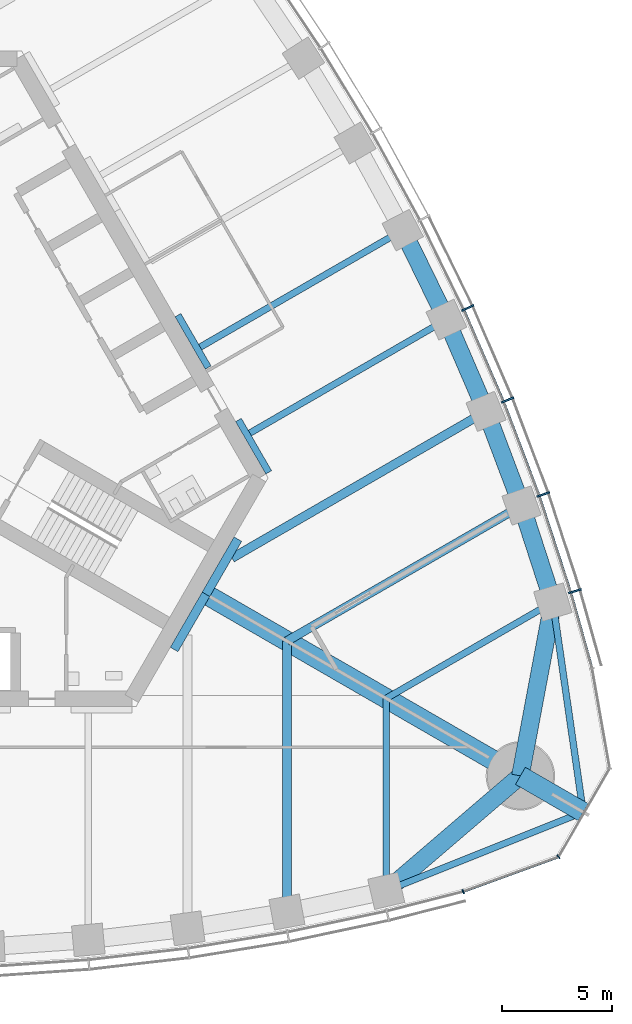
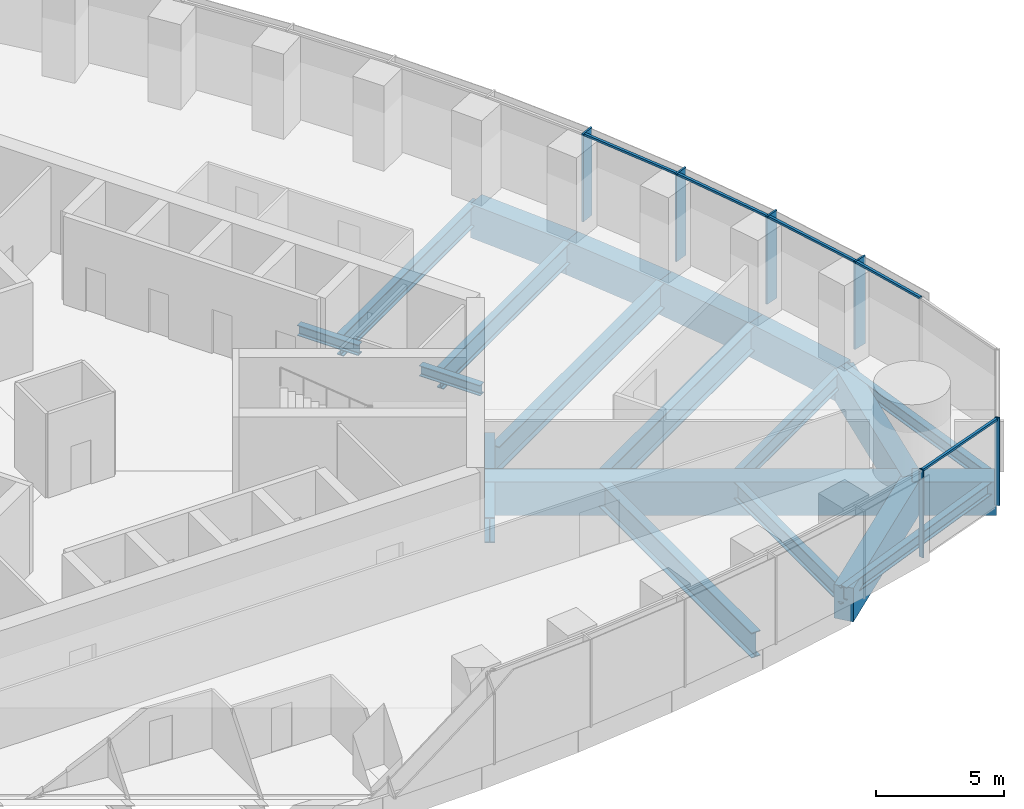
# One storey, part 4 of 19: 21 beams, 11 members, 2 elements without a shape of their own.
"""IFC4 building model written with IfcOpenShell, lengths in metres."""

from ifc_helpers import new_model, si_unit, direction, frame, origin, origin_2d, place, context, subcontext, project, spatial, rectangle, i_section, extrude, material, material_profile, profile_set, type_object, element, aggregate, save


model = new_model("IFC4")

# Units and contexts
model_context = context("Model", 3, precision=1e-05, world=origin(), true_north=direction((0.0, 1.0)))
body_context = subcontext(model_context, "Body", "Model", "MODEL_VIEW")
ifc_project = project(units=[si_unit("LENGTHUNIT", "METRE"), si_unit("AREAUNIT", "SQUARE_METRE"), si_unit("VOLUMEUNIT", "CUBIC_METRE"), si_unit("PLANEANGLEUNIT", "RADIAN"), si_unit("MASSUNIT", "GRAM", prefix="KILO")], contexts=[model_context])

# Site, building, storey
site_placement = place(None, origin())
site = spatial("IfcSite", under=ifc_project, at=site_placement, CompositionType="ELEMENT")
building_placement = place(site_placement, origin())
building = spatial("IfcBuilding", under=site, at=building_placement, Name="Trefoil Bronze Tower", CompositionType="ELEMENT")
storey_placement = place(building_placement, frame((0.0, 0.0, 248.5)))
storey = spatial("IfcBuildingStorey", under=building, at=storey_placement, Name="L57", CompositionType="ELEMENT", Elevation=248.5)

# Curtain wall, members
ifc_material_1 = material(Name="Tinted solar-control glass", Category="glass")
curtain_wall_type_1 = type_object("IfcCurtainWallType", Name="Bronze office curtain wall", PredefinedType="USERDEFINED", material=ifc_material_1)
curtain_wall_1_placement = place(storey_placement, origin())
curtain_wall_1 = element("IfcCurtainWall", 1, at=curtain_wall_1_placement, inside=storey, type_object=curtain_wall_type_1, Name="CW-A L57 F2", ObjectType="CURTAIN WALL", PredefinedType="USERDEFINED")
ifc_material_2 = material(Name="Bronze-finish aluminium", Category="aluminium")
ifc_material_profile_1 = material_profile(ifc_material_2, rectangle(XDim=0.60009765625, YDim=0.080078125, at=origin_2d()), Name="CW-A mullion")
ifc_profile_set_1 = profile_set([ifc_material_profile_1], Name="Bronze-finish aluminium")
member_type_1 = type_object("IfcMemberType", Name="Bronze office curtain wall mullion", PredefinedType="MULLION", material=ifc_profile_set_1)
member_1_placement = place(storey_placement, frame((31.05029296875, -8.132568359375, 0.0), z_axis=(0.0, 0.0, 1.0), x_axis=(-0.95694224323, -0.290278389002, 0.0)))
member_1 = element("IfcMember", 2, at=member_1_placement, type_object=member_type_1, Name="CW-A L57 F2 mullion 2", PredefinedType="MULLION", context=body_context, shape_type="SweptSolid", body=[
    extrude(rectangle(XDim=0.60009765625, YDim=0.080078125, at=origin_2d()), origin(), (0.0, 0.0, 1.0), 4.179931640625),
])
member_2_placement = place(storey_placement, frame((29.619873046875, -3.747314453125, 0.0), z_axis=(0.0, 0.0, 1.0), x_axis=(-0.943180077746, -0.332282020191, 0.0)))
member_2 = element("IfcMember", 3, at=member_2_placement, type_object=member_type_1, Name="CW-A L57 F2 mullion 3", PredefinedType="MULLION", context=body_context, shape_type="SweptSolid", body=[
    extrude(rectangle(XDim=0.60009765625, YDim=0.080078125, at=origin_2d()), origin(), (0.0, 0.0, 1.0), 4.179931640625),
])
member_3_placement = place(storey_placement, frame((27.999755859375, 0.529541015625, 0.0), z_axis=(0.0, 0.0, 1.0), x_axis=(-0.926689348282, -0.375828221106, 0.0)))
member_3 = element("IfcMember", 4, at=member_3_placement, type_object=member_type_1, Name="CW-A L57 F2 mullion 4", PredefinedType="MULLION", context=body_context, shape_type="SweptSolid", body=[
    extrude(rectangle(XDim=0.60009765625, YDim=0.080078125, at=origin_2d()), origin(), (0.0, 0.0, 1.0), 4.179931640625),
])
member_4_placement = place(storey_placement, frame((26.19482421875, 4.699462890625, 0.0), z_axis=(0.0, 0.0, 1.0), x_axis=(-0.908315380354, -0.418285990457, 0.0)))
member_4 = element("IfcMember", 5, at=member_4_placement, type_object=member_type_1, Name="CW-A L57 F2 mullion 5", PredefinedType="MULLION", context=body_context, shape_type="SweptSolid", body=[
    extrude(rectangle(XDim=0.60009765625, YDim=0.080078125, at=origin_2d()), origin(), (0.0, 0.0, 1.0), 4.179931640625),
])
ifc_material_3 = material(Name="Bronze-finish aluminium", Category="aluminium")
ifc_material_profile_2 = material_profile(ifc_material_3, rectangle(XDim=0.1201171875, YDim=0.10009765625, at=origin_2d()), Name="CW-A transom")
ifc_profile_set_2 = profile_set([ifc_material_profile_2], Name="Bronze-finish aluminium")
member_type_2 = type_object("IfcMemberType", Name="Bronze office curtain wall transom", PredefinedType="USERDEFINED", material=ifc_profile_set_2)
member_5_placement = place(storey_placement, frame((31.81201171875, -11.585205078125, 4.1298828125), z_axis=(-0.270284880437, 0.962780392097, 0.0), x_axis=(-0.962780392097, -0.270284880437, 0.0)))
member_5 = element("IfcMember", 6, at=member_5_placement, type_object=member_type_2, Name="CW-A L57 F2 transom 1", ObjectType="TRANSOM", PredefinedType="USERDEFINED", context=body_context, shape_type="SweptSolid", body=[
    extrude(rectangle(XDim=0.1201171875, YDim=0.10009765625, at=origin_2d()), origin(), (0.0, 0.0, 1.0), 3.48388671875),
])
member_6_placement = place(storey_placement, frame((30.845947265625, -8.150634765625, 4.1298828125), z_axis=(-0.310127806788, 0.950694874004, 0.0), x_axis=(-0.950694874004, -0.310127806788, 0.0)))
member_6 = element("IfcMember", 7, at=member_6_placement, type_object=member_type_2, Name="CW-A L57 F2 transom 2", ObjectType="TRANSOM", PredefinedType="USERDEFINED", context=body_context, shape_type="SweptSolid", body=[
    extrude(rectangle(XDim=0.1201171875, YDim=0.10009765625, at=origin_2d()), origin(), (0.0, 0.0, 1.0), 4.51953125),
])
member_7_placement = place(storey_placement, frame((29.416259765625, -3.774169921875, 4.1298828125), z_axis=(-0.354263170896, 0.935145767112, 0.0), x_axis=(-0.935145767112, -0.354263170896, 0.0)))
member_7 = element("IfcMember", 8, at=member_7_placement, type_object=member_type_2, Name="CW-A L57 F2 transom 3", ObjectType="TRANSOM", PredefinedType="USERDEFINED", context=body_context, shape_type="SweptSolid", body=[
    extrude(rectangle(XDim=0.1201171875, YDim=0.10009765625, at=origin_2d()), origin(), (0.0, 0.0, 1.0), 4.4794921875),
])
member_8_placement = place(storey_placement, frame((27.797607421875, 0.4931640625, 4.1298828125), z_axis=(-0.397220936772, 0.917723012346, 0.0), x_axis=(-0.917723012346, -0.397220936772, 0.0)))
member_8 = element("IfcMember", 9, at=member_8_placement, type_object=member_type_2, Name="CW-A L57 F2 transom 4", ObjectType="TRANSOM", PredefinedType="USERDEFINED", context=body_context, shape_type="SweptSolid", body=[
    extrude(rectangle(XDim=0.1201171875, YDim=0.10009765625, at=origin_2d()), origin(), (0.0, 0.0, 1.0), 4.449951171875),
])
aggregate(curtain_wall_1, [member_1, member_2, member_3, member_4, member_5, member_6, member_7, member_8])

ifc_material_4 = material(Name="Tinted solar-control glass", Category="glass")
curtain_wall_type_2 = type_object("IfcCurtainWallType", Name="Bronze rounded corner curtain wall", PredefinedType="USERDEFINED", material=ifc_material_4)
curtain_wall_2_placement = place(storey_placement, origin())
curtain_wall_2 = element("IfcCurtainWall", 10, at=curtain_wall_2_placement, inside=storey, type_object=curtain_wall_type_2, Name="CW-B L57 K1", ObjectType="CURTAIN WALL", PredefinedType="USERDEFINED")
ifc_material_5 = material(Name="Bronze-finish aluminium", Category="aluminium")
ifc_material_profile_3 = material_profile(ifc_material_5, rectangle(XDim=0.199951171875, YDim=0.06005859375, at=origin_2d()), Name="CW-B mullion")
ifc_profile_set_3 = profile_set([ifc_material_profile_3], Name="Bronze-finish aluminium")
member_type_3 = type_object("IfcMemberType", Name="Bronze rounded corner curtain wall mullion", PredefinedType="MULLION", material=ifc_profile_set_3)
member_9_placement = place(storey_placement, frame((25.9873046875, -21.74462890625, 0.0), z_axis=(0.0, 0.0, 1.0), x_axis=(-0.342020143326, 0.939692620786, 0.0)))
member_9 = element("IfcMember", 11, at=member_9_placement, type_object=member_type_3, Name="CW-B L57 K1 mullion 1", PredefinedType="MULLION", context=body_context, shape_type="SweptSolid", body=[
    extrude(rectangle(XDim=0.199951171875, YDim=0.06005859375, at=origin_2d()), origin(), (0.0, 0.0, 1.0), 4.179931640625),
])
member_10_placement = place(storey_placement, frame((30.302490234375, -20.16748046875, 0.0), z_axis=(0.0, 0.0, 1.0), x_axis=(-0.642787609687, 0.766044443119, 0.0)))
member_10 = element("IfcMember", 12, at=member_10_placement, type_object=member_type_3, Name="CW-B L57 K1 mullion 2", PredefinedType="MULLION", context=body_context, shape_type="SweptSolid", body=[
    extrude(rectangle(XDim=0.199951171875, YDim=0.06005859375, at=origin_2d()), origin(), (0.0, 0.0, 1.0), 4.179931640625),
])
ifc_material_6 = material(Name="Bronze-finish aluminium", Category="aluminium")
ifc_material_profile_4 = material_profile(ifc_material_6, rectangle(XDim=0.1201171875, YDim=0.10009765625, at=origin_2d()), Name="CW-B transom")
ifc_profile_set_4 = profile_set([ifc_material_profile_4], Name="Bronze-finish aluminium")
member_type_4 = type_object("IfcMemberType", Name="Bronze rounded corner curtain wall transom", PredefinedType="USERDEFINED", material=ifc_profile_set_4)
member_11_placement = place(storey_placement, frame((26.015380859375, -21.734375, 4.1298828125), z_axis=(0.939680910753, 0.342052314664, 0.0), x_axis=(-0.342052314664, 0.939680910753, 0.0)))
member_11 = element("IfcMember", 13, at=member_11_placement, type_object=member_type_4, Name="CW-B L57 K1 transom 1", ObjectType="TRANSOM", PredefinedType="USERDEFINED", context=body_context, shape_type="SweptSolid", body=[
    extrude(rectangle(XDim=0.1201171875, YDim=0.10009765625, at=origin_2d()), origin(), (0.0, 0.0, 1.0), 4.500244140625),
])
aggregate(curtain_wall_2, [member_9, member_10, member_11])

# Beams
ifc_material_7 = material(Name="Steel C355", Category="steel")
ifc_material_profile_5 = material_profile(ifc_material_7, i_section(OverallWidth=0.300048828125, OverallDepth=0.5, WebThickness=0.014404296875, FlangeThickness=0.028076171875, FilletRadius=0.027099609375, at=origin_2d()), Name="HEB 500")
ifc_profile_set_5 = profile_set([ifc_material_profile_5], Name="Steel C355")
beam_type_1 = type_object("IfcBeamType", Name="Core seat beam HEB 500", PredefinedType="BEAM", material=ifc_profile_set_5)
for number, where, z_axis, x_axis, name in (
    (14, (17.17626953125, -2.75, -0.449951171875), (-0.500035825175, 0.866004719122, 0.0), (-0.866004719122, -0.500035825175, 0.0), "Core seat beam F2/-2 L57"),
    (15, (14.433837890625, 2.0, -0.449951171875), (-0.500035825175, 0.866004719122, 0.0), (-0.866004719122, -0.500035825175, 0.0), "Core seat beam F2/-1 L57"),
):
    element("IfcBeam", number, at=place(storey_placement, frame(where, z_axis=z_axis, x_axis=x_axis)), inside=storey, type_object=beam_type_1, Name=name, PredefinedType="BEAM", context=body_context, shape_type="SweptSolid", body=[
        extrude(i_section(OverallWidth=0.300048828125, OverallDepth=0.5, WebThickness=0.014404296875, FlangeThickness=0.028076171875, FilletRadius=0.027099609375, at=origin_2d()), origin(), (0.0, 0.0, 1.0), 2.742431640625),
    ])
ifc_material_8 = material(Name="Steel C355", Category="steel")
ifc_material_profile_6 = material_profile(ifc_material_8, i_section(OverallWidth=0.39990234375, OverallDepth=1.199951171875, WebThickness=0.02001953125, FlangeThickness=0.0400390625, FilletRadius=0.010009765625, at=origin_2d()), Name="WPG 1200")
ifc_profile_set_6 = profile_set([ifc_material_profile_6], Name="Steel C355")
beam_type_2 = type_object("IfcBeamType", Name="Core seat beam WPG 1200", PredefinedType="BEAM", material=ifc_profile_set_6)
for number, where, z_axis, x_axis, name in (
    (16, (12.889404296875, -10.77490234375, -0.800048828125), (0.499995765644, 0.866027848477, 0.0), (-0.866027848477, 0.499995765644, 0.0), "Core seat beam F1/+3 L57"),
    (17, (14.332763671875, -8.27490234375, -0.800048828125), (0.499995765644, 0.866027848477, 0.0), (-0.866027848477, 0.499995765644, 0.0), "Core seat beam F2/-3 L57"),
):
    element("IfcBeam", number, at=place(storey_placement, frame(where, z_axis=z_axis, x_axis=x_axis)), inside=storey, type_object=beam_type_2, Name=name, PredefinedType="BEAM", context=body_context, shape_type="SweptSolid", body=[
        extrude(i_section(OverallWidth=0.39990234375, OverallDepth=1.199951171875, WebThickness=0.02001953125, FlangeThickness=0.0400390625, FilletRadius=0.010009765625, at=origin_2d()), origin(), (0.0, 0.0, 1.0), 2.88671875),
    ])
ifc_material_9 = material(Name="Concrete B80", Category="concrete")
ifc_material_profile_7 = material_profile(ifc_material_9, rectangle(XDim=0.89990234375, YDim=1.60009765625, at=origin_2d()), Name="RC 900x1600")
ifc_profile_set_7 = profile_set([ifc_material_profile_7], Name="Concrete B80")
beam_type_3 = type_object("IfcBeamType", Name="Corner cantilever RC 900x1600", PredefinedType="BEAM", material=ifc_profile_set_7)
beam_1_placement = place(storey_placement, frame((28.578857421875, -16.5, -1.0), z_axis=(0.866016004958, -0.500016278891, 0.0), x_axis=(0.500016278891, 0.866016004958, 0.0)))
element("IfcBeam", 18, at=beam_1_placement, inside=storey, type_object=beam_type_3, Name="Corner cantilever K1 L57", PredefinedType="BEAM", context=body_context, shape_type="SweptSolid", body=[
    extrude(rectangle(XDim=0.89990234375, YDim=1.60009765625, at=origin_2d()), origin(), (0.0, 0.0, 1.0), 3.28466796875),
])
ifc_material_10 = material(Name="Steel C355", Category="steel")
ifc_material_profile_8 = material_profile(ifc_material_10, i_section(OverallWidth=0.300048828125, OverallDepth=0.60009765625, WebThickness=0.015380859375, FlangeThickness=0.030029296875, FilletRadius=0.027099609375, at=origin_2d()), Name="HEB 600")
ifc_profile_set_8 = profile_set([ifc_material_profile_8], Name="Steel C355")
beam_type_4 = type_object("IfcBeamType", Name="Corner edge beam HEB 600", PredefinedType="BEAM", material=ifc_profile_set_8)
for number, where, z_axis, x_axis, name in (
    (19, (22.5, -21.71044921875, -0.5), (0.92852048463, 0.371281173266, 0.0), (-0.371281173266, 0.92852048463, 0.0), "Corner edge beam F1A L57"),
    (20, (30.052001953125, -8.63037109375, -0.5), (0.142694489722, -0.989766781925, 0.0), (0.989766781925, 0.142694489722, 0.0), "Corner edge beam F2B L57"),
):
    element("IfcBeam", number, at=place(storey_placement, frame(where, z_axis=z_axis, x_axis=x_axis)), inside=storey, type_object=beam_type_4, Name=name, PredefinedType="BEAM", context=body_context, shape_type="SweptSolid", body=[
        extrude(i_section(OverallWidth=0.300048828125, OverallDepth=0.60009765625, WebThickness=0.015380859375, FlangeThickness=0.030029296875, FilletRadius=0.027099609375, at=origin_2d()), origin(), (0.0, 0.0, 1.0), 9.6103515625),
    ])
ifc_material_11 = material(Name="Concrete B80", Category="concrete")
ifc_material_profile_9 = material_profile(ifc_material_11, rectangle(XDim=0.89990234375, YDim=1.60009765625, at=origin_2d()), Name="RC 900x1600")
ifc_profile_set_9 = profile_set([ifc_material_profile_9], Name="Concrete B80")
beam_type_5 = type_object("IfcBeamType", Name="Corner girder RC 900x1600", PredefinedType="BEAM", material=ifc_profile_set_9)
beam_2_placement = place(storey_placement, frame((14.159423828125, -8.175048828125, -1.0), z_axis=(0.866028334591, -0.49999492366, 0.0), x_axis=(0.49999492366, 0.866028334591, 0.0)))
element("IfcBeam", 21, at=beam_2_placement, inside=storey, type_object=beam_type_5, Name="Corner girder K1 L57", PredefinedType="BEAM", context=body_context, shape_type="SweptSolid", body=[
    extrude(rectangle(XDim=0.89990234375, YDim=1.60009765625, at=origin_2d()), origin(), (0.0, 0.0, 1.0), 16.650146484375),
])
ifc_material_12 = material(Name="Concrete B80", Category="concrete")
ifc_material_profile_10 = material_profile(ifc_material_12, rectangle(XDim=0.800048828125, YDim=1.60009765625, at=origin_2d()), Name="RC 800x1600")
ifc_profile_set_10 = profile_set([ifc_material_profile_10], Name="Concrete B80")
beam_type_6 = type_object("IfcBeamType", Name="End spandrel beam RC 800x1600", PredefinedType="SPANDREL", material=ifc_profile_set_10)
for number, where, z_axis, x_axis, name in (
    (22, (22.5, -21.71044921875, -1.0), (0.759256602365, 0.650791373456, 0.0), (-0.650791373456, 0.759256602365, 0.0), "Spandrel F1.12 L57"),
    (23, (28.578857421875, -16.5, -1.0), (0.18399763073, 0.982926686933, 0.0), (-0.982926686933, 0.18399763073, 0.0), "Spandrel F2.1 L57"),
):
    element("IfcBeam", number, at=place(storey_placement, frame(where, z_axis=z_axis, x_axis=x_axis)), inside=storey, type_object=beam_type_6, Name=name, PredefinedType="SPANDREL", context=body_context, shape_type="SweptSolid", body=[
        extrude(rectangle(XDim=0.800048828125, YDim=1.60009765625, at=origin_2d()), origin(), (0.0, 0.0, 1.0), 8.00634765625),
    ])
ifc_material_13 = material(Name="Steel C355", Category="steel")
ifc_material_profile_11 = material_profile(ifc_material_13, i_section(OverallWidth=0.300048828125, OverallDepth=1.0, WebThickness=0.01904296875, FlangeThickness=0.035888671875, FilletRadius=0.030029296875, at=origin_2d()), Name="HEB 1000")
ifc_profile_set_11 = profile_set([ifc_material_profile_11], Name="Steel C355")
beam_type_7 = type_object("IfcBeamType", Name="Floor beam HEB 1000", PredefinedType="BEAM", material=ifc_profile_set_11)
beam_3_placement = place(storey_placement, frame((25.2265625, 4.17236328125, -0.699951171875), z_axis=(-0.866019527493, -0.500010177898, 0.0), x_axis=(0.500010177898, -0.866019527493, 0.0)))
element("IfcBeam", 24, at=beam_3_placement, inside=storey, type_object=beam_type_7, Name="Floor beam F2/-2 L57", PredefinedType="BEAM", context=body_context, shape_type="SweptSolid", body=[
    extrude(i_section(OverallWidth=0.300048828125, OverallDepth=1.0, WebThickness=0.01904296875, FlangeThickness=0.035888671875, FilletRadius=0.030029296875, at=origin_2d()), origin(), (0.0, 0.0, 1.0), 10.282958984375),
])
ifc_material_14 = material(Name="Steel C355", Category="steel")
ifc_material_profile_12 = material_profile(ifc_material_14, i_section(OverallWidth=0.300048828125, OverallDepth=0.800048828125, WebThickness=0.017578125, FlangeThickness=0.032958984375, FilletRadius=0.030029296875, at=origin_2d()), Name="HEB 800")
ifc_profile_set_12 = profile_set([ifc_material_profile_12], Name="Steel C355")
beam_type_8 = type_object("IfcBeamType", Name="Floor beam HEB 800", PredefinedType="BEAM", material=ifc_profile_set_12)
beam_4_placement = place(storey_placement, frame((22.5, -21.71044921875, -0.60009765625), z_axis=(0.0, 1.0, 0.0), x_axis=(-1.0, 0.0, 0.0)))
element("IfcBeam", 25, at=beam_4_placement, inside=storey, type_object=beam_type_8, Name="Floor beam F1/+5 L57", PredefinedType="BEAM", context=body_context, shape_type="SweptSolid", body=[
    extrude(i_section(OverallWidth=0.300048828125, OverallDepth=0.800048828125, WebThickness=0.017578125, FlangeThickness=0.032958984375, FilletRadius=0.030029296875, at=origin_2d()), origin(), (0.0, 0.0, 1.0), 8.719970703125),
])
beam_5_placement = place(storey_placement, frame((30.052001953125, -8.63037109375, -0.60009765625), z_axis=(-0.866027535932, -0.499996306993, 0.0), x_axis=(0.499996306993, -0.866027535932, 0.0)))
element("IfcBeam", 26, at=beam_5_placement, inside=storey, type_object=beam_type_8, Name="Floor beam F2/-5 L57", PredefinedType="BEAM", context=body_context, shape_type="SweptSolid", body=[
    extrude(i_section(OverallWidth=0.300048828125, OverallDepth=0.800048828125, WebThickness=0.017578125, FlangeThickness=0.032958984375, FilletRadius=0.030029296875, at=origin_2d()), origin(), (0.0, 0.0, 1.0), 8.72021484375),
])
ifc_material_15 = material(Name="Steel C355", Category="steel")
ifc_material_profile_13 = material_profile(ifc_material_15, i_section(OverallWidth=0.302001953125, OverallDepth=1.008056640625, WebThickness=0.02099609375, FlangeThickness=0.0400390625, FilletRadius=0.030029296875, at=origin_2d()), Name="HEM 1000")
ifc_profile_set_13 = profile_set([ifc_material_profile_13], Name="Steel C355")
beam_type_9 = type_object("IfcBeamType", Name="Floor beam HEM 1000", PredefinedType="BEAM", material=ifc_profile_set_13)
beam_6_placement = place(storey_placement, frame((23.248046875, 8.22607421875, -0.7041015625), z_axis=(-0.86602981261, -0.499992363612, 0.0), x_axis=(0.499992363612, -0.86602981261, 0.0)))
element("IfcBeam", 27, at=beam_6_placement, inside=storey, type_object=beam_type_9, Name="Floor beam F2/-1 L57", PredefinedType="BEAM", context=body_context, shape_type="SweptSolid", body=[
    extrude(i_section(OverallWidth=0.302001953125, OverallDepth=1.008056640625, WebThickness=0.02099609375, FlangeThickness=0.0400390625, FilletRadius=0.030029296875, at=origin_2d()), origin(), (0.0, 0.0, 1.0), 10.596435546875),
])
ifc_material_16 = material(Name="Steel C355", Category="steel")
ifc_material_profile_14 = material_profile(ifc_material_16, i_section(OverallWidth=0.39990234375, OverallDepth=1.199951171875, WebThickness=0.02001953125, FlangeThickness=0.0400390625, FilletRadius=0.010009765625, at=origin_2d()), Name="WPG 1200")
ifc_profile_set_14 = profile_set([ifc_material_profile_14], Name="Steel C355")
beam_type_10 = type_object("IfcBeamType", Name="Floor beam WPG 1200", PredefinedType="BEAM", material=ifc_profile_set_14)
beam_7_placement = place(storey_placement, frame((18.0, -22.6689453125, -0.800048828125), z_axis=(0.0, 1.0, 0.0), x_axis=(-1.0, 0.0, 0.0)))
element("IfcBeam", 28, at=beam_7_placement, inside=storey, type_object=beam_type_10, Name="Floor beam F1/+4 L57", PredefinedType="BEAM", context=body_context, shape_type="SweptSolid", body=[
    extrude(i_section(OverallWidth=0.39990234375, OverallDepth=1.199951171875, WebThickness=0.02001953125, FlangeThickness=0.0400390625, FilletRadius=0.010009765625, at=origin_2d()), origin(), (0.0, 0.0, 1.0), 12.276611328125),
])
beam_8_placement = place(storey_placement, frame((28.632080078125, -4.25390625, -0.800048828125), z_axis=(-0.866025635187, -0.499999599199, 0.0), x_axis=(0.499999599199, -0.866025635187, 0.0)))
element("IfcBeam", 29, at=beam_8_placement, inside=storey, type_object=beam_type_10, Name="Floor beam F2/-4 L57", PredefinedType="BEAM", context=body_context, shape_type="SweptSolid", body=[
    extrude(i_section(OverallWidth=0.39990234375, OverallDepth=1.199951171875, WebThickness=0.02001953125, FlangeThickness=0.0400390625, FilletRadius=0.010009765625, at=origin_2d()), origin(), (0.0, 0.0, 1.0), 12.27685546875),
])
beam_9_placement = place(storey_placement, frame((27.022216796875, 0.012939453125, -0.800048828125), z_axis=(-0.866023461342, -0.500003364394, 0.0), x_axis=(0.500003364394, -0.866023461342, 0.0)))
element("IfcBeam", 30, at=beam_9_placement, inside=storey, type_object=beam_type_10, Name="Floor beam F2/-3 L57", PredefinedType="BEAM", context=body_context, shape_type="SweptSolid", body=[
    extrude(i_section(OverallWidth=0.39990234375, OverallDepth=1.199951171875, WebThickness=0.02001953125, FlangeThickness=0.0400390625, FilletRadius=0.010009765625, at=origin_2d()), origin(), (0.0, 0.0, 1.0), 13.291015625),
])
ifc_material_17 = material(Name="Concrete B80", Category="concrete")
ifc_material_profile_15 = material_profile(ifc_material_17, rectangle(XDim=0.800048828125, YDim=1.60009765625, at=origin_2d()), Name="RC 800x1600")
ifc_profile_set_15 = profile_set([ifc_material_profile_15], Name="Concrete B80")
beam_type_11 = type_object("IfcBeamType", Name="Spandrel beam RC 800x1600", PredefinedType="SPANDREL", material=ifc_profile_set_15)
beam_10_placement = place(storey_placement, frame((30.052001953125, -8.63037109375, -1.0), z_axis=(-0.308608505504, 0.951189145402, 0.0), x_axis=(-0.951189145402, -0.308608505504, 0.0)))
element("IfcBeam", 31, at=beam_10_placement, inside=storey, type_object=beam_type_11, Name="Spandrel F2.2 L57", PredefinedType="SPANDREL", context=body_context, shape_type="SweptSolid", body=[
    extrude(rectangle(XDim=0.800048828125, YDim=1.60009765625, at=origin_2d()), origin(), (0.0, 0.0, 1.0), 4.60107421875),
])
beam_11_placement = place(storey_placement, frame((28.632080078125, -4.25390625, -1.0), z_axis=(-0.353005969632, 0.935621069346, 0.0), x_axis=(-0.935621069346, -0.353005969632, 0.0)))
element("IfcBeam", 32, at=beam_11_placement, inside=storey, type_object=beam_type_11, Name="Spandrel F2.3 L57", PredefinedType="SPANDREL", context=body_context, shape_type="SweptSolid", body=[
    extrude(rectangle(XDim=0.800048828125, YDim=1.60009765625, at=origin_2d()), origin(), (0.0, 0.0, 1.0), 4.560546875),
])
beam_12_placement = place(storey_placement, frame((27.022216796875, 0.012939453125, -1.0), z_axis=(-0.396350337164, 0.918099346602, 0.0), x_axis=(-0.918099346602, -0.396350337164, 0.0)))
element("IfcBeam", 33, at=beam_12_placement, inside=storey, type_object=beam_type_11, Name="Spandrel F2.4 L57", PredefinedType="SPANDREL", context=body_context, shape_type="SweptSolid", body=[
    extrude(rectangle(XDim=0.800048828125, YDim=1.60009765625, at=origin_2d()), origin(), (0.0, 0.0, 1.0), 4.530517578125),
])
beam_13_placement = place(storey_placement, frame((25.2265625, 4.17236328125, -1.0), z_axis=(-0.438619830351, 0.898672712629, 0.0), x_axis=(-0.898672712629, -0.438619830351, 0.0)))
element("IfcBeam", 34, at=beam_13_placement, inside=storey, type_object=beam_type_11, Name="Spandrel F2.5 L57", PredefinedType="SPANDREL", context=body_context, shape_type="SweptSolid", body=[
    extrude(rectangle(XDim=0.800048828125, YDim=1.60009765625, at=origin_2d()), origin(), (0.0, 0.0, 1.0), 4.5107421875),
])

save(model, "model.ifc")
